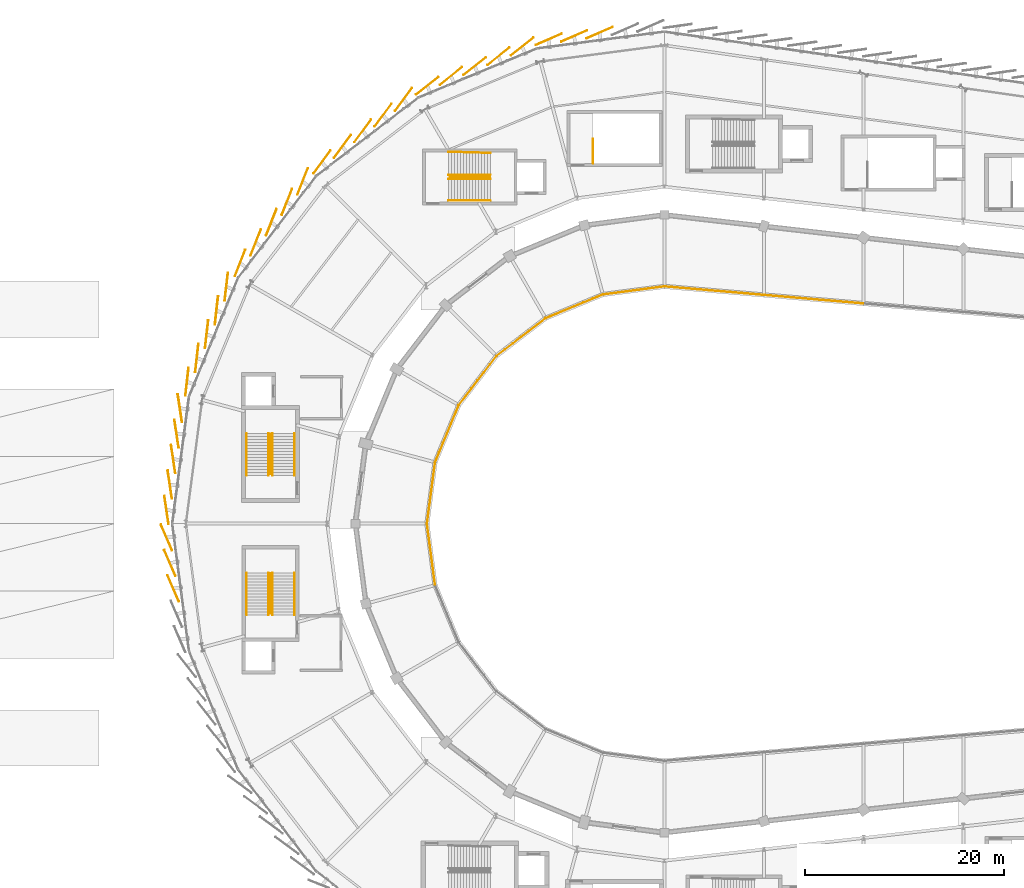
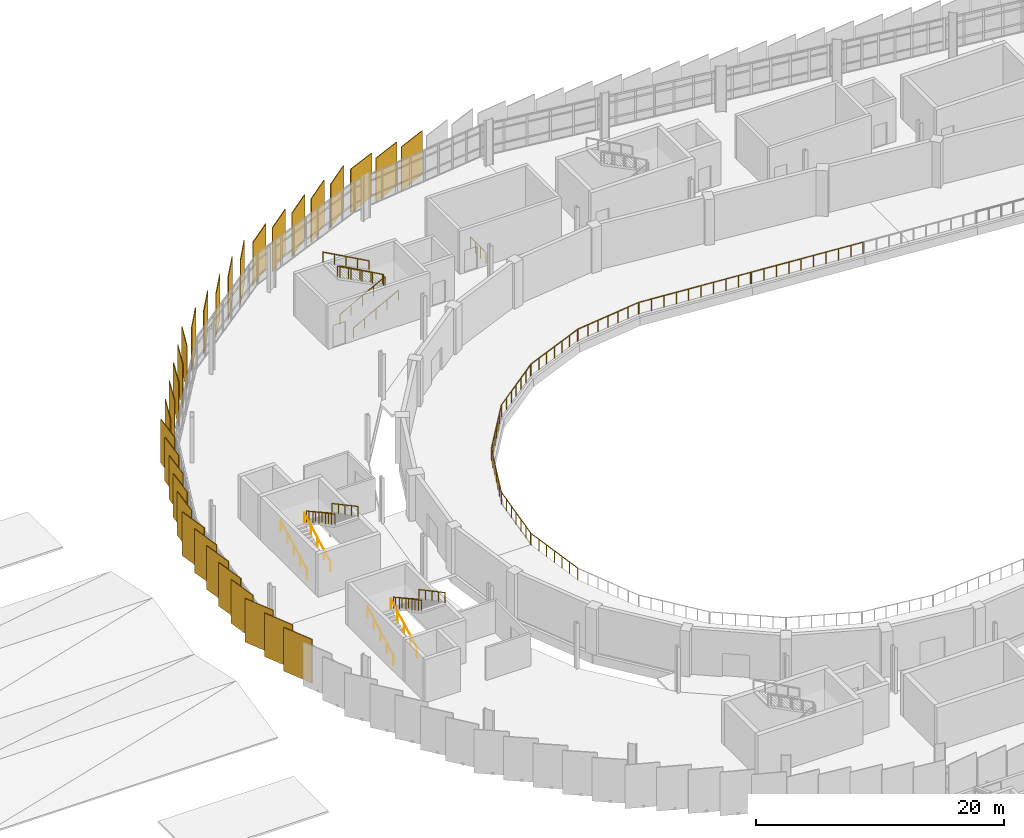
# One storey, part 84 of 87: 31 coverings, 25 railings.
"""IFC4 building model written with IfcOpenShell, lengths in metres."""

from ifc_helpers import new_model, si_unit, direction, frame, origin, origin_2d, place, context, subcontext, project, spatial, rectangle, circle, extrude, material, layer, layer_set, type_object, element, save


model = new_model("IFC4")

# Units and contexts
model_context = context("Model", 3, precision=1e-05, world=origin(), true_north=direction((0.0, 1.0)))
body_context = subcontext(model_context, "Body", "Model", "MODEL_VIEW")
ifc_project = project(units=[si_unit("LENGTHUNIT", "METRE"), si_unit("AREAUNIT", "SQUARE_METRE"), si_unit("VOLUMEUNIT", "CUBIC_METRE"), si_unit("PLANEANGLEUNIT", "RADIAN"), si_unit("MASSUNIT", "GRAM", prefix="KILO")], contexts=[model_context])

# Site, building, storey
site_placement = place(None, origin())
site = spatial("IfcSite", under=ifc_project, at=site_placement, CompositionType="ELEMENT")
building_placement = place(site_placement, origin())
building = spatial("IfcBuilding", under=site, at=building_placement, Name="Sohan Crest Arena", CompositionType="ELEMENT")
storey_placement = place(building_placement, frame((0.0, 0.0, 18.0)))
storey = spatial("IfcBuildingStorey", under=building, at=storey_placement, Name="L04", CompositionType="ELEMENT", Elevation=18.0)

# Railings
ifc_material_1 = material(Name="Powder-coated wrought steel balustrade", Category="steel")
railing_type_1 = type_object("IfcRailingType", Name="ARC-GRD-01", PredefinedType="GUARDRAIL", material=ifc_material_1)
for number, where, name in (
    (1, (58.5, 73.030029296875, 2.25), "Stair well slot guard GRD-006"),
    (2, (58.5, 87.030029296875, 2.25), "Stair well slot guard GRD-013"),
):
    element("IfcRailing", number, at=place(storey_placement, frame(where)), inside=storey, type_object=railing_type_1, Name=name, PredefinedType="GUARDRAIL", context=body_context, shape_type="SweptSolid", body=[
        extrude(circle(Radius=0.02392578125, at=origin_2d()), frame((0.0, 0.0, 1.076171875), z_axis=(0.0, -0.87313487534, 0.487478706678), x_axis=(1.0, 0.0, 0.0)), (0.0, 0.0, 1.0), 4.615478515625),
        extrude(circle(Radius=0.02099609375, at=origin_2d()), origin(), (0.0, 0.0, 1.0), 1.052001953125),
        extrude(circle(Radius=0.02099609375, at=origin_2d()), frame((0.0, -1.007568359375, 0.5625)), (0.0, 0.0, 1.0), 1.052001953125),
        extrude(circle(Radius=0.02099609375, at=origin_2d()), frame((0.0, -2.01513671875, 1.125)), (0.0, 0.0, 1.0), 1.052001953125),
        extrude(circle(Radius=0.02099609375, at=origin_2d()), frame((0.0, -3.0224609375, 1.6875)), (0.0, 0.0, 1.0), 1.052001953125),
        extrude(circle(Radius=0.02099609375, at=origin_2d()), frame((0.0, -4.030029296875, 2.25)), (0.0, 0.0, 1.0), 1.052001953125),
    ])
railing_1_placement = place(storey_placement, frame((80.530029296875, 112.800048828125, 2.25)))
element("IfcRailing", 3, at=railing_1_placement, inside=storey, type_object=railing_type_1, Name="Stair well slot guard GRD-027", PredefinedType="GUARDRAIL", context=body_context, shape_type="SweptSolid", body=[
    extrude(circle(Radius=0.02392578125, at=origin_2d()), frame((0.0, 0.0, 1.076171875), z_axis=(-0.87313487534, 0.0, 0.487478706678), x_axis=(0.0, -1.0, 0.0)), (0.0, 0.0, 1.0), 4.615478515625),
    extrude(circle(Radius=0.02099609375, at=origin_2d()), origin(), (0.0, 0.0, 1.0), 1.052001953125),
    extrude(circle(Radius=0.02099609375, at=origin_2d()), frame((-1.007568359375, 0.0, 0.5625)), (0.0, 0.0, 1.0), 1.052001953125),
    extrude(circle(Radius=0.02099609375, at=origin_2d()), frame((-2.01513671875, 0.0, 1.125)), (0.0, 0.0, 1.0), 1.052001953125),
    extrude(circle(Radius=0.02099609375, at=origin_2d()), frame((-3.0224609375, 0.0, 1.6875)), (0.0, 0.0, 1.0), 1.052001953125),
    extrude(circle(Radius=0.02099609375, at=origin_2d()), frame((-4.030029296875, 0.0, 2.25)), (0.0, 0.0, 1.0), 1.052001953125),
])
railing_2_placement = place(storey_placement, frame((90.8701171875, 114.159912109375, 0.0)))
element("IfcRailing", 4, at=railing_2_placement, inside=storey, type_object=railing_type_1, Name="Top stair landing well guard GRD-110", PredefinedType="GUARDRAIL", context=body_context, shape_type="SweptSolid", body=[
    extrude(circle(Radius=0.02392578125, at=origin_2d()), frame((0.0, 0.0, 1.076171875), z_axis=(0.0, 1.0, 0.0), x_axis=(-1.0, 0.0, 0.0)), (0.0, 0.0, 1.0), 2.460205078125),
    extrude(circle(Radius=0.02099609375, at=origin_2d()), origin(), (0.0, 0.0, 1.0), 1.052001953125),
    extrude(circle(Radius=0.02099609375, at=origin_2d()), frame((0.0, 0.820068359375, 0.0)), (0.0, 0.0, 1.0), 1.052001953125),
    extrude(circle(Radius=0.02099609375, at=origin_2d()), frame((0.0, 1.64013671875, 0.0)), (0.0, 0.0, 1.0), 1.052001953125),
    extrude(circle(Radius=0.02099609375, at=origin_2d()), frame((0.0, 2.460205078125, 0.0)), (0.0, 0.0, 1.0), 1.052001953125),
])
ifc_material_2 = material(Name="Laminated glass and steel sightline guard", Category="steel")
railing_type_2 = type_object("IfcRailingType", Name="ARC-GRD-02", PredefinedType="GUARDRAIL", material=ifc_material_2)
railing_3_placement = place(storey_placement, frame((97.9599609375, 101.794921875, 0.0)))
element("IfcRailing", 5, at=railing_3_placement, inside=storey, type_object=railing_type_2, Name="Bowl gallery edge guard GRD-252", PredefinedType="GUARDRAIL", context=body_context, shape_type="SweptSolid", body=[
    extrude(circle(Radius=0.02392578125, at=origin_2d()), frame((0.0, 0.0, 1.1259765625), z_axis=(-0.991432873037, -0.130617220384, 0.0), x_axis=(0.130617220384, -0.991432873037, 0.0)), (0.0, 0.0, 1.0), 6.132568359375),
    extrude(circle(Radius=0.02099609375, at=origin_2d()), origin(), (0.0, 0.0, 1.0), 1.101806640625),
    extrude(circle(Radius=0.02099609375, at=origin_2d()), frame((-1.013427734375, -0.133544921875, 0.0)), (0.0, 0.0, 1.0), 1.101806640625),
    extrude(circle(Radius=0.02099609375, at=origin_2d()), frame((-2.026611328125, -0.26708984375, 0.0)), (0.0, 0.0, 1.0), 1.101806640625),
    extrude(circle(Radius=0.02099609375, at=origin_2d()), frame((-3.0400390625, -0.400390625, 0.0)), (0.0, 0.0, 1.0), 1.101806640625),
    extrude(circle(Radius=0.02099609375, at=origin_2d()), frame((-4.053466796875, -0.533935546875, 0.0)), (0.0, 0.0, 1.0), 1.101806640625),
    extrude(circle(Radius=0.02099609375, at=origin_2d()), frame((-5.066650390625, -0.66748046875, 0.0)), (0.0, 0.0, 1.0), 1.101806640625),
    extrude(circle(Radius=0.02099609375, at=origin_2d()), frame((-6.080078125, -0.801025390625, 0.0)), (0.0, 0.0, 1.0), 1.101806640625),
])
railing_4_placement = place(storey_placement, frame((91.802978515625, 100.97412109375, 0.0)))
element("IfcRailing", 6, at=railing_4_placement, inside=storey, type_object=railing_type_2, Name="Bowl gallery edge guard GRD-253", PredefinedType="GUARDRAIL", context=body_context, shape_type="SweptSolid", body=[
    extrude(circle(Radius=0.02392578125, at=origin_2d()), frame((0.0, 0.0, 1.1259765625), z_axis=(-0.923810112157, -0.38285098495, 0.0), x_axis=(0.38285098495, -0.923810112157, 0.0)), (0.0, 0.0, 1.0), 6.13330078125),
    extrude(circle(Radius=0.02099609375, at=origin_2d()), origin(), (0.0, 0.0, 1.0), 1.101806640625),
    extrude(circle(Radius=0.02099609375, at=origin_2d()), frame((-0.9443359375, -0.391357421875, 0.0)), (0.0, 0.0, 1.0), 1.101806640625),
    extrude(circle(Radius=0.02099609375, at=origin_2d()), frame((-1.888671875, -0.78271484375, 0.0)), (0.0, 0.0, 1.0), 1.101806640625),
    extrude(circle(Radius=0.02099609375, at=origin_2d()), frame((-2.8330078125, -1.174072265625, 0.0)), (0.0, 0.0, 1.0), 1.101806640625),
    extrude(circle(Radius=0.02099609375, at=origin_2d()), frame((-3.77734375, -1.5654296875, 0.0)), (0.0, 0.0, 1.0), 1.101806640625),
    extrude(circle(Radius=0.02099609375, at=origin_2d()), frame((-4.7216796875, -1.956787109375, 0.0)), (0.0, 0.0, 1.0), 1.101806640625),
    extrude(circle(Radius=0.02099609375, at=origin_2d()), frame((-5.666015625, -2.34814453125, 0.0)), (0.0, 0.0, 1.0), 1.101806640625),
])
railing_5_placement = place(storey_placement, frame((86.068115234375, 98.5869140625, 0.0)))
element("IfcRailing", 7, at=railing_5_placement, inside=storey, type_object=railing_type_2, Name="Bowl gallery edge guard GRD-254", PredefinedType="GUARDRAIL", context=body_context, shape_type="SweptSolid", body=[
    extrude(circle(Radius=0.02392578125, at=origin_2d()), frame((0.0, 0.0, 1.1259765625), z_axis=(-0.793301277629, -0.608829272384, 0.0), x_axis=(0.608829272384, -0.793301277629, 0.0)), (0.0, 0.0, 1.0), 6.1328125),
    extrude(circle(Radius=0.02099609375, at=origin_2d()), origin(), (0.0, 0.0, 1.0), 1.101806640625),
    extrude(circle(Radius=0.02099609375, at=origin_2d()), frame((-0.810791015625, -0.622314453125, 0.0)), (0.0, 0.0, 1.0), 1.101806640625),
    extrude(circle(Radius=0.02099609375, at=origin_2d()), frame((-1.621826171875, -1.24462890625, 0.0)), (0.0, 0.0, 1.0), 1.101806640625),
    extrude(circle(Radius=0.02099609375, at=origin_2d()), frame((-2.4326171875, -1.866943359375, 0.0)), (0.0, 0.0, 1.0), 1.101806640625),
    extrude(circle(Radius=0.02099609375, at=origin_2d()), frame((-3.243408203125, -2.4892578125, 0.0)), (0.0, 0.0, 1.0), 1.101806640625),
    extrude(circle(Radius=0.02099609375, at=origin_2d()), frame((-4.054443359375, -3.111572265625, 0.0)), (0.0, 0.0, 1.0), 1.101806640625),
    extrude(circle(Radius=0.02099609375, at=origin_2d()), frame((-4.865234375, -3.73388671875, 0.0)), (0.0, 0.0, 1.0), 1.101806640625),
])
railing_6_placement = place(storey_placement, frame((81.14697265625, 94.797119140625, 0.0)))
element("IfcRailing", 8, at=railing_6_placement, inside=storey, type_object=railing_type_2, Name="Bowl gallery edge guard GRD-255", PredefinedType="GUARDRAIL", context=body_context, shape_type="SweptSolid", body=[
    extrude(circle(Radius=0.02392578125, at=origin_2d()), frame((0.0, 0.0, 1.1259765625), z_axis=(-0.608829272384, -0.793301277629, 0.0), x_axis=(0.793301277629, -0.608829272384, 0.0)), (0.0, 0.0, 1.0), 6.1328125),
    extrude(circle(Radius=0.02099609375, at=origin_2d()), origin(), (0.0, 0.0, 1.0), 1.101806640625),
    extrude(circle(Radius=0.02099609375, at=origin_2d()), frame((-0.622314453125, -0.810791015625, 0.0)), (0.0, 0.0, 1.0), 1.101806640625),
    extrude(circle(Radius=0.02099609375, at=origin_2d()), frame((-1.24462890625, -1.621826171875, 0.0)), (0.0, 0.0, 1.0), 1.101806640625),
    extrude(circle(Radius=0.02099609375, at=origin_2d()), frame((-1.866943359375, -2.4326171875, 0.0)), (0.0, 0.0, 1.0), 1.101806640625),
    extrude(circle(Radius=0.02099609375, at=origin_2d()), frame((-2.4892578125, -3.243408203125, 0.0)), (0.0, 0.0, 1.0), 1.101806640625),
    extrude(circle(Radius=0.02099609375, at=origin_2d()), frame((-3.111572265625, -4.054443359375, 0.0)), (0.0, 0.0, 1.0), 1.101806640625),
    extrude(circle(Radius=0.02099609375, at=origin_2d()), frame((-3.73388671875, -4.865234375, 0.0)), (0.0, 0.0, 1.0), 1.101806640625),
])
railing_7_placement = place(storey_placement, frame((77.3740234375, 89.863037109375, 0.0)))
element("IfcRailing", 9, at=railing_7_placement, inside=storey, type_object=railing_type_2, Name="Bowl gallery edge guard GRD-256", PredefinedType="GUARDRAIL", context=body_context, shape_type="SweptSolid", body=[
    extrude(circle(Radius=0.02392578125, at=origin_2d()), frame((0.0, 0.0, 1.1259765625), z_axis=(-0.38285098495, -0.923810112157, 0.0), x_axis=(0.923810112157, -0.38285098495, 0.0)), (0.0, 0.0, 1.0), 6.13330078125),
    extrude(circle(Radius=0.02099609375, at=origin_2d()), origin(), (0.0, 0.0, 1.0), 1.101806640625),
    extrude(circle(Radius=0.02099609375, at=origin_2d()), frame((-0.391357421875, -0.9443359375, 0.0)), (0.0, 0.0, 1.0), 1.101806640625),
    extrude(circle(Radius=0.02099609375, at=origin_2d()), frame((-0.78271484375, -1.888671875, 0.0)), (0.0, 0.0, 1.0), 1.101806640625),
    extrude(circle(Radius=0.02099609375, at=origin_2d()), frame((-1.174072265625, -2.8330078125, 0.0)), (0.0, 0.0, 1.0), 1.101806640625),
    extrude(circle(Radius=0.02099609375, at=origin_2d()), frame((-1.5654296875, -3.77734375, 0.0)), (0.0, 0.0, 1.0), 1.101806640625),
    extrude(circle(Radius=0.02099609375, at=origin_2d()), frame((-1.956787109375, -4.7216796875, 0.0)), (0.0, 0.0, 1.0), 1.101806640625),
    extrude(circle(Radius=0.02099609375, at=origin_2d()), frame((-2.34814453125, -5.666015625, 0.0)), (0.0, 0.0, 1.0), 1.101806640625),
])
railing_8_placement = place(storey_placement, frame((75.006103515625, 84.1201171875, 0.0)))
element("IfcRailing", 10, at=railing_8_placement, inside=storey, type_object=railing_type_2, Name="Bowl gallery edge guard GRD-257", PredefinedType="GUARDRAIL", context=body_context, shape_type="SweptSolid", body=[
    extrude(circle(Radius=0.02392578125, at=origin_2d()), frame((0.0, 0.0, 1.1259765625), z_axis=(-0.130617220384, -0.991432873037, 0.0), x_axis=(0.991432873037, -0.130617220384, 0.0)), (0.0, 0.0, 1.0), 6.132568359375),
    extrude(circle(Radius=0.02099609375, at=origin_2d()), origin(), (0.0, 0.0, 1.0), 1.101806640625),
    extrude(circle(Radius=0.02099609375, at=origin_2d()), frame((-0.133544921875, -1.013427734375, 0.0)), (0.0, 0.0, 1.0), 1.101806640625),
    extrude(circle(Radius=0.02099609375, at=origin_2d()), frame((-0.26708984375, -2.026611328125, 0.0)), (0.0, 0.0, 1.0), 1.101806640625),
    extrude(circle(Radius=0.02099609375, at=origin_2d()), frame((-0.400390625, -3.0400390625, 0.0)), (0.0, 0.0, 1.0), 1.101806640625),
    extrude(circle(Radius=0.02099609375, at=origin_2d()), frame((-0.533935546875, -4.053466796875, 0.0)), (0.0, 0.0, 1.0), 1.101806640625),
    extrude(circle(Radius=0.02099609375, at=origin_2d()), frame((-0.66748046875, -5.066650390625, 0.0)), (0.0, 0.0, 1.0), 1.101806640625),
    extrude(circle(Radius=0.02099609375, at=origin_2d()), frame((-0.801025390625, -6.080078125, 0.0)), (0.0, 0.0, 1.0), 1.101806640625),
])
railing_9_placement = place(storey_placement, frame((74.205078125, 77.9599609375, 0.0)))
element("IfcRailing", 11, at=railing_9_placement, inside=storey, type_object=railing_type_2, Name="Bowl gallery edge guard GRD-258", PredefinedType="GUARDRAIL", context=body_context, shape_type="SweptSolid", body=[
    extrude(circle(Radius=0.02392578125, at=origin_2d()), frame((0.0, 0.0, 1.1259765625), z_axis=(0.130617220384, -0.991432873037, 0.0), x_axis=(0.991432873037, 0.130617220384, 0.0)), (0.0, 0.0, 1.0), 6.132568359375),
    extrude(circle(Radius=0.02099609375, at=origin_2d()), origin(), (0.0, 0.0, 1.0), 1.101806640625),
    extrude(circle(Radius=0.02099609375, at=origin_2d()), frame((0.133544921875, -1.013427734375, 0.0)), (0.0, 0.0, 1.0), 1.101806640625),
    extrude(circle(Radius=0.02099609375, at=origin_2d()), frame((0.26708984375, -2.026611328125, 0.0)), (0.0, 0.0, 1.0), 1.101806640625),
    extrude(circle(Radius=0.02099609375, at=origin_2d()), frame((0.400390625, -3.0400390625, 0.0)), (0.0, 0.0, 1.0), 1.101806640625),
    extrude(circle(Radius=0.02099609375, at=origin_2d()), frame((0.533935546875, -4.053466796875, 0.0)), (0.0, 0.0, 1.0), 1.101806640625),
    extrude(circle(Radius=0.02099609375, at=origin_2d()), frame((0.66748046875, -5.066650390625, 0.0)), (0.0, 0.0, 1.0), 1.101806640625),
    extrude(circle(Radius=0.02099609375, at=origin_2d()), frame((0.801025390625, -6.080078125, 0.0)), (0.0, 0.0, 1.0), 1.101806640625),
])
railing_10_placement = place(storey_placement, frame((117.9599609375, 100.089111328125, 0.0)))
element("IfcRailing", 12, at=railing_10_placement, inside=storey, type_object=railing_type_2, Name="Bowl gallery edge guard GRD-284", PredefinedType="GUARDRAIL", context=body_context, shape_type="SweptSolid", body=[
    extrude(circle(Radius=0.02392578125, at=origin_2d()), frame((0.0, 0.0, 1.1259765625), z_axis=(-0.996341938042, 0.085456085206, 0.0), x_axis=(-0.085456085206, -0.996341938042, 0.0)), (0.0, 0.0, 1.0), 9.956298828125),
    extrude(circle(Radius=0.02099609375, at=origin_2d()), origin(), (0.0, 0.0, 1.0), 1.101806640625),
    extrude(circle(Radius=0.02099609375, at=origin_2d()), frame((-1.102294921875, 0.094482421875, 0.0)), (0.0, 0.0, 1.0), 1.101806640625),
    extrude(circle(Radius=0.02099609375, at=origin_2d()), frame((-2.204345703125, 0.18896484375, 0.0)), (0.0, 0.0, 1.0), 1.101806640625),
    extrude(circle(Radius=0.02099609375, at=origin_2d()), frame((-3.306640625, 0.28369140625, 0.0)), (0.0, 0.0, 1.0), 1.101806640625),
    extrude(circle(Radius=0.02099609375, at=origin_2d()), frame((-4.408935546875, 0.378173828125, 0.0)), (0.0, 0.0, 1.0), 1.101806640625),
    extrude(circle(Radius=0.02099609375, at=origin_2d()), frame((-5.510986328125, 0.47265625, 0.0)), (0.0, 0.0, 1.0), 1.101806640625),
    extrude(circle(Radius=0.02099609375, at=origin_2d()), frame((-6.61328125, 0.567138671875, 0.0)), (0.0, 0.0, 1.0), 1.101806640625),
    extrude(circle(Radius=0.02099609375, at=origin_2d()), frame((-7.715576171875, 0.661865234375, 0.0)), (0.0, 0.0, 1.0), 1.101806640625),
    extrude(circle(Radius=0.02099609375, at=origin_2d()), frame((-8.817626953125, 0.75634765625, 0.0)), (0.0, 0.0, 1.0), 1.101806640625),
    extrude(circle(Radius=0.02099609375, at=origin_2d()), frame((-9.919921875, 0.850830078125, 0.0)), (0.0, 0.0, 1.0), 1.101806640625),
])
railing_11_placement = place(storey_placement, frame((107.9599609375, 100.946044921875, 0.0)))
element("IfcRailing", 13, at=railing_11_placement, inside=storey, type_object=railing_type_2, Name="Bowl gallery edge guard GRD-285", PredefinedType="GUARDRAIL", context=body_context, shape_type="SweptSolid", body=[
    extrude(circle(Radius=0.02392578125, at=origin_2d()), frame((0.0, 0.0, 1.1259765625), z_axis=(-0.996339849936, 0.085480427173, 0.0), x_axis=(-0.085480427173, -0.996339849936, 0.0)), (0.0, 0.0, 1.0), 9.956298828125),
    extrude(circle(Radius=0.02099609375, at=origin_2d()), origin(), (0.0, 0.0, 1.0), 1.101806640625),
    extrude(circle(Radius=0.02099609375, at=origin_2d()), frame((-1.102294921875, 0.094482421875, 0.0)), (0.0, 0.0, 1.0), 1.101806640625),
    extrude(circle(Radius=0.02099609375, at=origin_2d()), frame((-2.204345703125, 0.189208984375, 0.0)), (0.0, 0.0, 1.0), 1.101806640625),
    extrude(circle(Radius=0.02099609375, at=origin_2d()), frame((-3.306640625, 0.28369140625, 0.0)), (0.0, 0.0, 1.0), 1.101806640625),
    extrude(circle(Radius=0.02099609375, at=origin_2d()), frame((-4.408935546875, 0.378173828125, 0.0)), (0.0, 0.0, 1.0), 1.101806640625),
    extrude(circle(Radius=0.02099609375, at=origin_2d()), frame((-5.510986328125, 0.472900390625, 0.0)), (0.0, 0.0, 1.0), 1.101806640625),
    extrude(circle(Radius=0.02099609375, at=origin_2d()), frame((-6.61328125, 0.5673828125, 0.0)), (0.0, 0.0, 1.0), 1.101806640625),
    extrude(circle(Radius=0.02099609375, at=origin_2d()), frame((-7.715576171875, 0.661865234375, 0.0)), (0.0, 0.0, 1.0), 1.101806640625),
    extrude(circle(Radius=0.02099609375, at=origin_2d()), frame((-8.817626953125, 0.756591796875, 0.0)), (0.0, 0.0, 1.0), 1.101806640625),
    extrude(circle(Radius=0.02099609375, at=origin_2d()), frame((-9.919921875, 0.85107421875, 0.0)), (0.0, 0.0, 1.0), 1.101806640625),
])
ifc_material_3 = material(Name="Brushed stainless steel stair handrail", Category="steel")
railing_type_3 = type_object("IfcRailingType", Name="ARC-HR-01", PredefinedType="HANDRAIL", material=ifc_material_3)
for number, where, name in (
    (14, (56.110107421875, 68.85009765625, 0.0), "Stair pitch handrail HR-021"),
    (15, (58.2900390625, 68.85009765625, 0.0), "Stair pitch handrail HR-022"),
):
    element("IfcRailing", number, at=place(storey_placement, frame(where)), inside=storey, type_object=railing_type_3, Name=name, PredefinedType="HANDRAIL", context=body_context, shape_type="SweptSolid", body=[
        extrude(circle(Radius=0.02392578125, at=origin_2d()), frame((0.0, 0.0, 0.97607421875), z_axis=(0.0, 0.881477684796, 0.472225678258), x_axis=(-1.0, 0.0, 0.0)), (0.0, 0.0, 1.0), 4.7646484375),
        extrude(circle(Radius=0.02099609375, at=origin_2d()), origin(), (0.0, 0.0, 1.0), 0.951904296875),
        extrude(circle(Radius=0.02099609375, at=origin_2d()), frame((0.0, 1.050048828125, 0.5625)), (0.0, 0.0, 1.0), 0.951904296875),
        extrude(circle(Radius=0.02099609375, at=origin_2d()), frame((0.0, 2.10009765625, 1.125)), (0.0, 0.0, 1.0), 0.951904296875),
        extrude(circle(Radius=0.02099609375, at=origin_2d()), frame((0.0, 3.14990234375, 1.6875)), (0.0, 0.0, 1.0), 0.951904296875),
        extrude(circle(Radius=0.02099609375, at=origin_2d()), frame((0.0, 4.199951171875, 2.25)), (0.0, 0.0, 1.0), 0.951904296875),
    ])
for number, where, name in (
    (16, (58.7099609375, 73.050048828125, 2.25), "Stair pitch handrail HR-023"),
    (17, (60.889892578125, 73.050048828125, 2.25), "Stair pitch handrail HR-024"),
):
    element("IfcRailing", number, at=place(storey_placement, frame(where)), inside=storey, type_object=railing_type_3, Name=name, PredefinedType="HANDRAIL", context=body_context, shape_type="SweptSolid", body=[
        extrude(circle(Radius=0.02392578125, at=origin_2d()), frame((0.0, 0.0, 0.97607421875), z_axis=(0.0, -0.881477684796, 0.472225678258), x_axis=(1.0, 0.0, 0.0)), (0.0, 0.0, 1.0), 4.7646484375),
        extrude(circle(Radius=0.02099609375, at=origin_2d()), origin(), (0.0, 0.0, 1.0), 0.951904296875),
        extrude(circle(Radius=0.02099609375, at=origin_2d()), frame((0.0, -1.050048828125, 0.5625)), (0.0, 0.0, 1.0), 0.951904296875),
        extrude(circle(Radius=0.02099609375, at=origin_2d()), frame((0.0, -2.10009765625, 1.125)), (0.0, 0.0, 1.0), 0.951904296875),
        extrude(circle(Radius=0.02099609375, at=origin_2d()), frame((0.0, -3.14990234375, 1.6875)), (0.0, 0.0, 1.0), 0.951904296875),
        extrude(circle(Radius=0.02099609375, at=origin_2d()), frame((0.0, -4.199951171875, 2.25)), (0.0, 0.0, 1.0), 0.951904296875),
    ])
for number, where, name in (
    (18, (56.110107421875, 82.85009765625, 0.0), "Stair pitch handrail HR-045"),
    (19, (58.2900390625, 82.85009765625, 0.0), "Stair pitch handrail HR-046"),
):
    element("IfcRailing", number, at=place(storey_placement, frame(where)), inside=storey, type_object=railing_type_3, Name=name, PredefinedType="HANDRAIL", context=body_context, shape_type="SweptSolid", body=[
        extrude(circle(Radius=0.02392578125, at=origin_2d()), frame((0.0, 0.0, 0.97607421875), z_axis=(0.0, 0.881477684796, 0.472225678258), x_axis=(-1.0, 0.0, 0.0)), (0.0, 0.0, 1.0), 4.7646484375),
        extrude(circle(Radius=0.02099609375, at=origin_2d()), origin(), (0.0, 0.0, 1.0), 0.951904296875),
        extrude(circle(Radius=0.02099609375, at=origin_2d()), frame((0.0, 1.050048828125, 0.5625)), (0.0, 0.0, 1.0), 0.951904296875),
        extrude(circle(Radius=0.02099609375, at=origin_2d()), frame((0.0, 2.10009765625, 1.125)), (0.0, 0.0, 1.0), 0.951904296875),
        extrude(circle(Radius=0.02099609375, at=origin_2d()), frame((0.0, 3.14990234375, 1.6875)), (0.0, 0.0, 1.0), 0.951904296875),
        extrude(circle(Radius=0.02099609375, at=origin_2d()), frame((0.0, 4.199951171875, 2.25)), (0.0, 0.0, 1.0), 0.951904296875),
    ])
for number, where, name in (
    (20, (58.7099609375, 87.050048828125, 2.25), "Stair pitch handrail HR-047"),
    (21, (60.889892578125, 87.050048828125, 2.25), "Stair pitch handrail HR-048"),
):
    element("IfcRailing", number, at=place(storey_placement, frame(where)), inside=storey, type_object=railing_type_3, Name=name, PredefinedType="HANDRAIL", context=body_context, shape_type="SweptSolid", body=[
        extrude(circle(Radius=0.02392578125, at=origin_2d()), frame((0.0, 0.0, 0.97607421875), z_axis=(0.0, -0.881477684796, 0.472225678258), x_axis=(1.0, 0.0, 0.0)), (0.0, 0.0, 1.0), 4.7646484375),
        extrude(circle(Radius=0.02099609375, at=origin_2d()), origin(), (0.0, 0.0, 1.0), 0.951904296875),
        extrude(circle(Radius=0.02099609375, at=origin_2d()), frame((0.0, -1.050048828125, 0.5625)), (0.0, 0.0, 1.0), 0.951904296875),
        extrude(circle(Radius=0.02099609375, at=origin_2d()), frame((0.0, -2.10009765625, 1.125)), (0.0, 0.0, 1.0), 0.951904296875),
        extrude(circle(Radius=0.02099609375, at=origin_2d()), frame((0.0, -3.14990234375, 1.6875)), (0.0, 0.0, 1.0), 0.951904296875),
        extrude(circle(Radius=0.02099609375, at=origin_2d()), frame((0.0, -4.199951171875, 2.25)), (0.0, 0.0, 1.0), 0.951904296875),
    ])
for number, where, name in (
    (22, (76.35009765625, 110.409912109375, 0.0), "Stair pitch handrail HR-093"),
    (23, (76.35009765625, 112.590087890625, 0.0), "Stair pitch handrail HR-094"),
):
    element("IfcRailing", number, at=place(storey_placement, frame(where)), inside=storey, type_object=railing_type_3, Name=name, PredefinedType="HANDRAIL", context=body_context, shape_type="SweptSolid", body=[
        extrude(circle(Radius=0.02392578125, at=origin_2d()), frame((0.0, 0.0, 0.97607421875), z_axis=(0.881477684796, 0.0, 0.472225678258), x_axis=(0.0, 1.0, 0.0)), (0.0, 0.0, 1.0), 4.7646484375),
        extrude(circle(Radius=0.02099609375, at=origin_2d()), origin(), (0.0, 0.0, 1.0), 0.951904296875),
        extrude(circle(Radius=0.02099609375, at=origin_2d()), frame((1.050048828125, 0.0, 0.5625)), (0.0, 0.0, 1.0), 0.951904296875),
        extrude(circle(Radius=0.02099609375, at=origin_2d()), frame((2.10009765625, 0.0, 1.125)), (0.0, 0.0, 1.0), 0.951904296875),
        extrude(circle(Radius=0.02099609375, at=origin_2d()), frame((3.14990234375, 0.0, 1.6875)), (0.0, 0.0, 1.0), 0.951904296875),
        extrude(circle(Radius=0.02099609375, at=origin_2d()), frame((4.199951171875, 0.0, 2.25)), (0.0, 0.0, 1.0), 0.951904296875),
    ])
railing_12_placement = place(storey_placement, frame((80.550048828125, 113.010009765625, 2.25)))
element("IfcRailing", 24, at=railing_12_placement, inside=storey, type_object=railing_type_3, Name="Stair pitch handrail HR-095", PredefinedType="HANDRAIL", context=body_context, shape_type="SweptSolid", body=[
    extrude(circle(Radius=0.02392578125, at=origin_2d()), frame((0.0, 0.0, 0.97607421875), z_axis=(-0.881477684796, 0.0, 0.472225678258), x_axis=(0.0, -1.0, 0.0)), (0.0, 0.0, 1.0), 4.7646484375),
    extrude(circle(Radius=0.02099609375, at=origin_2d()), origin(), (0.0, 0.0, 1.0), 0.951904296875),
    extrude(circle(Radius=0.02099609375, at=origin_2d()), frame((-1.050048828125, 0.0, 0.5625)), (0.0, 0.0, 1.0), 0.951904296875),
    extrude(circle(Radius=0.02099609375, at=origin_2d()), frame((-2.10009765625, 0.0, 1.125)), (0.0, 0.0, 1.0), 0.951904296875),
    extrude(circle(Radius=0.02099609375, at=origin_2d()), frame((-3.14990234375, 0.0, 1.6875)), (0.0, 0.0, 1.0), 0.951904296875),
    extrude(circle(Radius=0.02099609375, at=origin_2d()), frame((-4.199951171875, 0.0, 2.25)), (0.0, 0.0, 1.0), 0.951904296875),
])
railing_13_placement = place(storey_placement, frame((80.550048828125, 115.18994140625, 2.25)))
element("IfcRailing", 25, at=railing_13_placement, inside=storey, type_object=railing_type_3, Name="Stair pitch handrail HR-096", PredefinedType="HANDRAIL", context=body_context, shape_type="SweptSolid", body=[
    extrude(circle(Radius=0.02392578125, at=origin_2d()), frame((0.0, 0.0, 0.97607421875), z_axis=(-0.881197710057, 0.025201957411, 0.472075690047), x_axis=(-0.028587973606, -0.999591280357, 0.0)), (0.0, 0.0, 1.0), 4.76611328125),
    extrude(circle(Radius=0.02099609375, at=origin_2d()), origin(), (0.0, 0.0, 1.0), 0.951904296875),
    extrude(circle(Radius=0.02099609375, at=origin_2d()), frame((-1.050048828125, 0.030029296875, 0.5625)), (0.0, 0.0, 1.0), 0.951904296875),
    extrude(circle(Radius=0.02099609375, at=origin_2d()), frame((-2.10009765625, 0.06005859375, 1.125)), (0.0, 0.0, 1.0), 0.951904296875),
    extrude(circle(Radius=0.02099609375, at=origin_2d()), frame((-3.14990234375, 0.090087890625, 1.6875)), (0.0, 0.0, 1.0), 0.951904296875),
    extrude(circle(Radius=0.02099609375, at=origin_2d()), frame((-4.199951171875, 0.1201171875, 2.25)), (0.0, 0.0, 1.0), 0.951904296875),
])

# Coverings
ifc_material_4 = material(Name="Glazed ivory trencadis ceramic cladding", Category="masonry")
ifc_layer_1 = layer(ifc_material_4, 0.06494140625, Name="Glazed ivory trencadis ceramic cladding")
ifc_layer_set_1 = layer_set([ifc_layer_1], Name="Glazed ivory trencadis ceramic cladding")
covering_type_1 = type_object("IfcCoveringType", Name="COV-SC-IV", PredefinedType="CLADDING", material=ifc_layer_set_1)
for number, where, z_axis, x_axis, name in (
    (26, (91.513916015625, 127.261962890625, -0.2001953125), (0.0, 0.0, 1.0), (-0.917060074385, -0.398749068925, 0.0), "Rotated trencadis ceramic scale panel SC-0401"),
    (27, (88.9599609375, 126.926025390625, -0.2001953125), (0.0, 0.0, 1.0), (-0.917060074385, -0.398749068925, 0.0), "Rotated trencadis ceramic scale panel SC-0402"),
    (28, (86.405029296875, 126.590087890625, -0.2001953125), (0.0, 0.0, 1.0), (-0.917060074385, -0.398749068925, 0.0), "Rotated trencadis ceramic scale panel SC-0403"),
    (29, (83.74609375, 125.876953125, -0.2001953125), (0.0, 0.0, 1.0), (-0.782608156852, -0.622514636638, 0.0), "Rotated trencadis ceramic scale panel SC-0404"),
    (30, (81.365966796875, 124.89111328125, -0.2001953125), (0.0, 0.0, 1.0), (-0.782608156852, -0.622514636638, 0.0), "Rotated trencadis ceramic scale panel SC-0405"),
    (31, (78.985107421875, 123.905029296875, -0.2001953125), (0.0, 0.0, 1.0), (-0.782608156852, -0.622514636638, 0.0), "Rotated trencadis ceramic scale panel SC-0406"),
    (32, (76.60498046875, 122.9189453125, -0.2001953125), (0.0, 0.0, 1.0), (-0.782608156852, -0.622514636638, 0.0), "Rotated trencadis ceramic scale panel SC-0407"),
    (33, (71.840087890625, 120.556884765625, -0.2001953125), (0.0, 0.0, 1.0), (-0.594822786751, -0.803856860617, 0.0), "Rotated trencadis ceramic scale panel SC-0409"),
    (34, (69.7958984375, 118.988037109375, -0.2001953125), (0.0, 0.0, 1.0), (-0.594822786751, -0.803856860617, 0.0), "Rotated trencadis ceramic scale panel SC-0410"),
    (35, (67.751953125, 117.419921875, -0.2001953125), (0.0, 0.0, 1.0), (-0.594822786751, -0.803856860617, 0.0), "Rotated trencadis ceramic scale panel SC-0411"),
    (36, (63.6630859375, 114.282958984375, -0.2001953125), (0.0, 0.0, 1.0), (-0.594822786751, -0.803856860617, 0.0), "Rotated trencadis ceramic scale panel SC-0413"),
    (37, (61.717041015625, 112.3369140625, -0.2001953125), (0.0, 0.0, 1.0), (-0.366501226724, -0.930417567982, 0.0), "Rotated trencadis ceramic scale panel SC-0414"),
    (38, (60.14794921875, 110.2919921875, -0.2001953125), (0.0, 0.0, 1.0), (-0.366501226724, -0.930417567982, 0.0), "Rotated trencadis ceramic scale panel SC-0415"),
    (39, (57.011962890625, 106.2041015625, -0.2001953125), (0.0, 0.0, 1.0), (-0.366501226724, -0.930417567982, 0.0), "Rotated trencadis ceramic scale panel SC-0417"),
    (40, (55.443115234375, 104.159912109375, -0.2001953125), (0.0, 0.0, 1.0), (-0.366501226724, -0.930417567982, 0.0), "Rotated trencadis ceramic scale panel SC-0418"),
    (41, (54.06689453125, 101.77587890625, -0.2001953125), (0.0, 0.0, 1.0), (-0.113203213768, -0.993571855677, 0.0), "Rotated trencadis ceramic scale panel SC-0419"),
    (42, (52.094970703125, 97.014892578125, -0.2001953125), (0.0, 0.0, 1.0), (-0.113203213768, -0.993571855677, 0.0), "Rotated trencadis ceramic scale panel SC-0421"),
    (43, (51.10888671875, 94.634033203125, -0.2001953125), (0.0, 0.0, 1.0), (-0.113203213768, -0.993571855677, 0.0), "Rotated trencadis ceramic scale panel SC-0422"),
    (44, (50.123046875, 92.25390625, -0.2001953125), (0.0, 0.0, 1.0), (-0.113203213768, -0.993571855677, 0.0), "Rotated trencadis ceramic scale panel SC-0423"),
    (45, (49.073974609375, 87.0400390625, -0.2001953125), (0.0, 0.0, 1.0), (0.14780941113, -0.989015863362, 0.0), "Rotated trencadis ceramic scale panel SC-0425"),
    (46, (48.738037109375, 84.486083984375, -0.2001953125), (0.0, 0.0, 1.0), (0.14780941113, -0.989015863362, 0.0), "Rotated trencadis ceramic scale panel SC-0426"),
    (47, (48.40087890625, 81.930908203125, -0.2001953125), (0.0, 0.0, 1.0), (0.14780941113, -0.989015863362, 0.0), "Rotated trencadis ceramic scale panel SC-0427"),
    (48, (48.06494140625, 79.376953125, -0.2001953125), (0.0, 0.0, 1.0), (0.14780941113, -0.989015863362, 0.0), "Rotated trencadis ceramic scale panel SC-0428"),
    (49, (48.06494140625, 76.623046875, -0.2001953125), (0.0, 0.0, 1.0), (0.398749068925, -0.917060074385, 0.0), "Rotated trencadis ceramic scale panel SC-0429"),
    (50, (48.40087890625, 74.069091796875, -0.2001953125), (0.0, 0.0, 1.0), (0.398749068925, -0.917060074385, 0.0), "Rotated trencadis ceramic scale panel SC-0430"),
    (51, (48.738037109375, 71.513916015625, -0.2001953125), (0.0, 0.0, 1.0), (0.398749068925, -0.917060074385, 0.0), "Rotated trencadis ceramic scale panel SC-0431"),
):
    element("IfcCovering", number, at=place(storey_placement, frame(where, z_axis=z_axis, x_axis=x_axis)), inside=storey, type_object=covering_type_1, Name=name, PredefinedType="CLADDING", context=body_context, shape_type="SweptSolid", body=[
        extrude(rectangle(XDim=2.85009765625, YDim=0.06494140625, at=origin_2d()), origin(), (0.0, 0.0, 1.0), 4.300048828125),
    ])
ifc_material_5 = material(Name="Glazed terracotta trencadis ceramic cladding", Category="masonry")
ifc_layer_2 = layer(ifc_material_5, 0.074951171875, Name="Glazed terracotta trencadis ceramic cladding")
ifc_layer_set_2 = layer_set([ifc_layer_2], Name="Glazed terracotta trencadis ceramic cladding")
covering_type_2 = type_object("IfcCoveringType", Name="COV-SC-TC", PredefinedType="CLADDING", material=ifc_layer_set_2)
for number, where, z_axis, x_axis, name in (
    (52, (74.22412109375, 121.93310546875, -0.2001953125), (0.0, 0.0, 1.0), (-0.782608156852, -0.622514636638, 0.0), "Rotated trencadis ceramic scale panel SC-0408"),
    (53, (65.7080078125, 115.85205078125, -0.2001953125), (0.0, 0.0, 1.0), (-0.594822786751, -0.803856860617, 0.0), "Rotated trencadis ceramic scale panel SC-0412"),
    (54, (58.580078125, 108.248046875, -0.2001953125), (0.0, 0.0, 1.0), (-0.366501226724, -0.930417567982, 0.0), "Rotated trencadis ceramic scale panel SC-0416"),
    (55, (53.0810546875, 99.39501953125, -0.2001953125), (0.0, 0.0, 1.0), (-0.113203213768, -0.993571855677, 0.0), "Rotated trencadis ceramic scale panel SC-0420"),
    (56, (49.409912109375, 89.594970703125, -0.2001953125), (0.0, 0.0, 1.0), (0.14780941113, -0.989015863362, 0.0), "Rotated trencadis ceramic scale panel SC-0424"),
):
    element("IfcCovering", number, at=place(storey_placement, frame(where, z_axis=z_axis, x_axis=x_axis)), inside=storey, type_object=covering_type_2, Name=name, PredefinedType="CLADDING", context=body_context, shape_type="SweptSolid", body=[
        extrude(rectangle(XDim=2.85009765625, YDim=0.074951171875, at=origin_2d()), origin(), (0.0, 0.0, 1.0), 4.300048828125),
    ])

save(model, "model.ifc")
